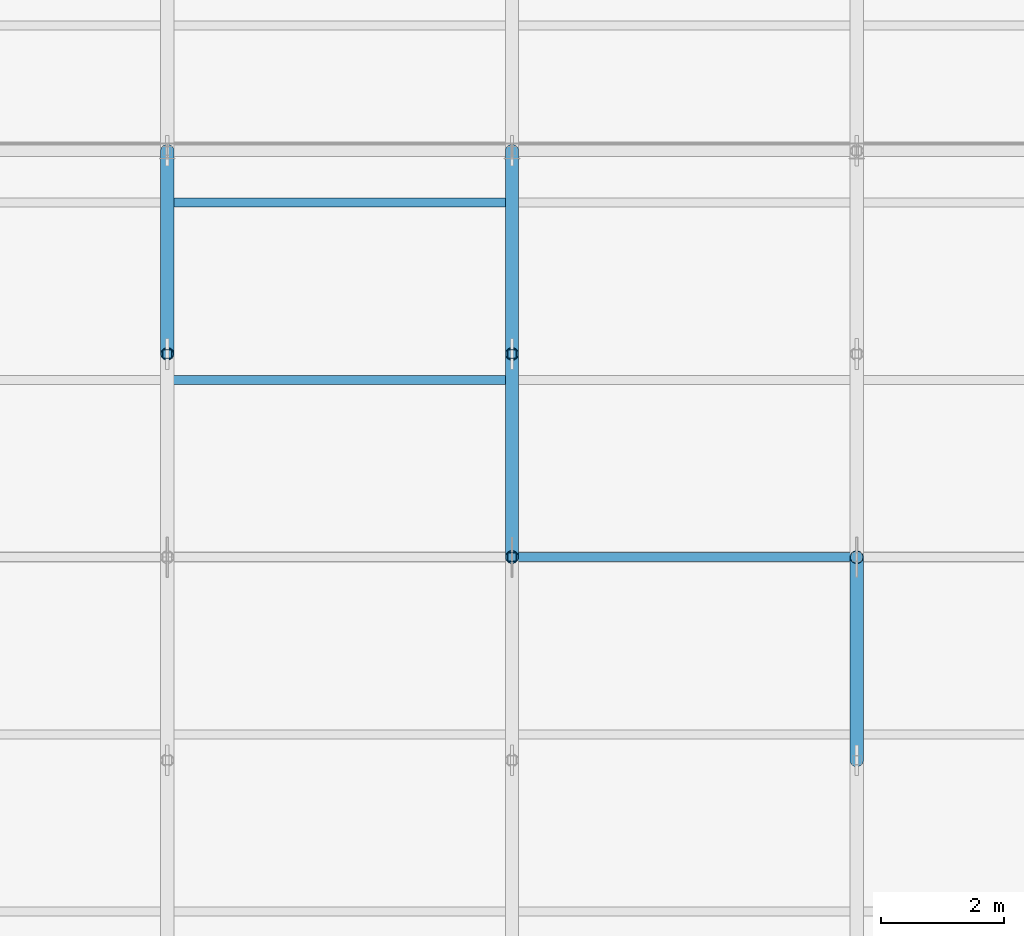
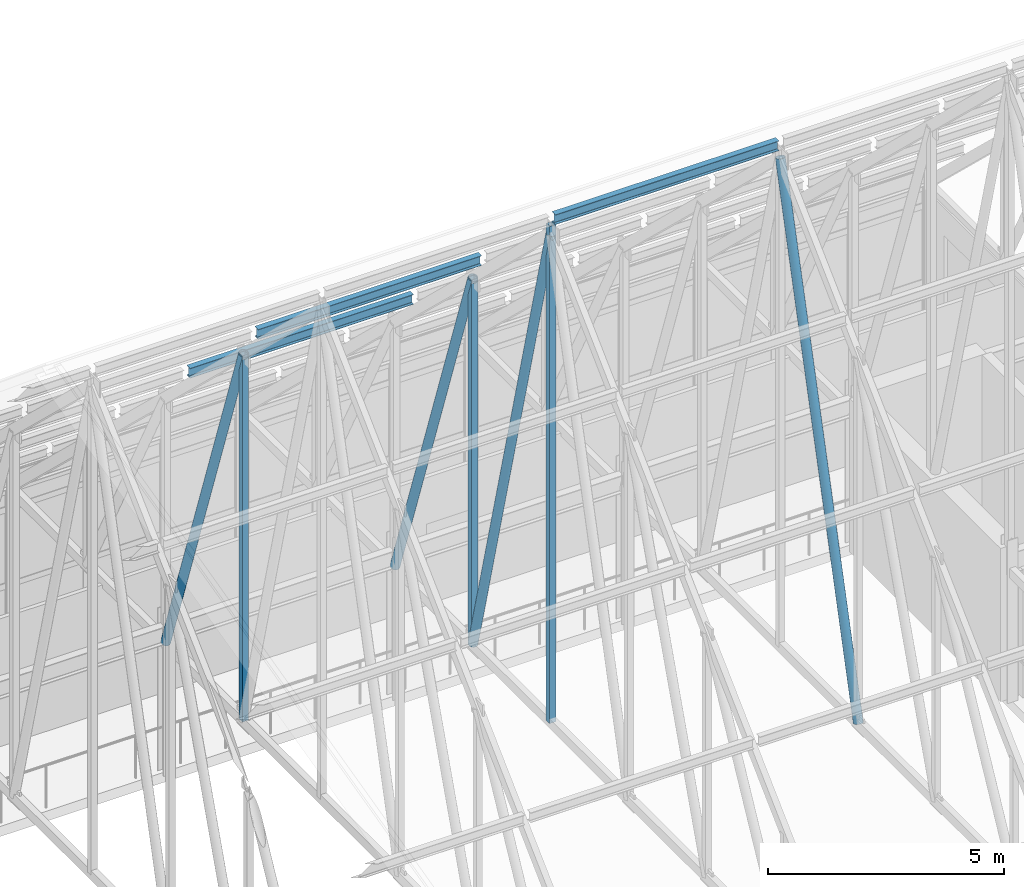
# One storey, part 48 of 144: 10 members.
"""IFC4 building model written with IfcOpenShell, lengths in metres."""

from ifc_helpers import new_model, si_unit, direction, frame, origin, origin_2d, place, context, subcontext, project, spatial, hollow_rectangle, hollow_circle, i_section, extrude, material, material_profile, profile_set, type_object, element, save


model = new_model("IFC4")

# Units and contexts
model_context = context("Model", 3, precision=1e-05, world=origin(), true_north=direction((0.0, 1.0)))
body_context = subcontext(model_context, "Body", "Model", "MODEL_VIEW")
ifc_project = project(units=[si_unit("LENGTHUNIT", "METRE"), si_unit("AREAUNIT", "SQUARE_METRE"), si_unit("VOLUMEUNIT", "CUBIC_METRE"), si_unit("PLANEANGLEUNIT", "RADIAN"), si_unit("MASSUNIT", "GRAM", prefix="KILO")], contexts=[model_context])

# Site, building, storey
site_placement = place(None, origin())
site = spatial("IfcSite", under=ifc_project, at=site_placement, CompositionType="ELEMENT")
building_placement = place(site_placement, origin())
building = spatial("IfcBuilding", under=site, at=building_placement, Name="Trelmorton Wharf Fire Station", CompositionType="ELEMENT")
storey_placement = place(building_placement, frame((0.0, 0.0, 5.39990234375)))
storey = spatial("IfcBuildingStorey", under=building, at=storey_placement, Name="L01", CompositionType="ELEMENT", Elevation=5.39990234375)

# Members
ifc_material_1 = material(Name="Steel Grade 300 (300 MPa)", Category="steel")
ifc_material_profile_1 = material_profile(ifc_material_1, i_section(OverallWidth=0.14599609375, OverallDepth=0.256103515625, WebThickness=0.00634765625, FlangeThickness=0.010986328125, FilletRadius=0.0087890625, at=origin_2d()), Name="250UB37.3")
ifc_profile_set_1 = profile_set([ifc_material_profile_1], Name="Steel Grade 300 (300 MPa)")
member_type_1 = type_object("IfcMemberType", Name="PR_250UB37", PredefinedType="PURLIN", material=ifc_profile_set_1)
for number, where, z_axis, x_axis, name in (
    (1, (34.471923828125, 23.8798828125, 13.5625), (1.0, 0.0, 0.0), (0.0, 1.0, 0.0), "V1-PR-B07-N1"),
    (2, (34.471923828125, 26.760009765625, 10.8134765625), (1.0, 0.0, 0.0), (0.0, 1.0, 0.0), "V1-PR-B07-N2"),
    (3, (40.072021484375, 21.0, 16.311767578125), (1.0, 0.0, 0.0), (0.0, 1.0, 0.0), "V1-PR-B08-S5"),
):
    element("IfcMember", number, at=place(storey_placement, frame(where, z_axis=z_axis, x_axis=x_axis)), inside=storey, type_object=member_type_1, Name=name, PredefinedType="PURLIN", context=body_context, shape_type="SweptSolid", body=[
        extrude(i_section(OverallWidth=0.14599609375, OverallDepth=0.256103515625, WebThickness=0.00634765625, FlangeThickness=0.010986328125, FilletRadius=0.0087890625, at=origin_2d()), origin(), (0.0, 0.0, 1.0), 5.4560546875),
    ])
ifc_material_2 = material(Name="Steel C350L0 (350 MPa)", Category="steel")
ifc_material_profile_2 = material_profile(ifc_material_2, hollow_circle(Radius=0.109619140625, WallThickness=0.00830078125, at=origin_2d()), Name="219.1x8.2CHS")
ifc_profile_set_2 = profile_set([ifc_material_profile_2], Name="Steel C350L0 (350 MPa)")
member_type_2 = type_object("IfcMemberType", Name="TR_DIAG_219CHS", PredefinedType="STRUT", material=ifc_profile_set_2)
for number, where, z_axis, x_axis, name in (
    (4, (34.39990234375, 27.60009765625, 3.351806640625), (0.0, -0.329681107508, 0.944092351072), (1.0, 0.0, 0.0), "V1-TR07-DG-N2"),
    (5, (40.0, 27.60009765625, 3.351806640625), (0.0, -0.329681107508, 0.944092351072), (1.0, 0.0, 0.0), "V1-TR08-DG-N2"),
):
    element("IfcMember", number, at=place(storey_placement, frame(where, z_axis=z_axis, x_axis=x_axis)), inside=storey, type_object=member_type_2, Name=name, PredefinedType="STRUT", context=body_context, shape_type="SweptSolid", body=[
        extrude(hollow_circle(Radius=0.109619140625, WallThickness=0.00830078125, at=origin_2d()), origin(), (0.0, 0.0, 1.0), 10.009765625),
    ])
for number, where, z_axis, x_axis, name in (
    (6, (40.0, 24.300048828125, 3.351806640625), (0.0, -0.25336106238, 0.967371785856), (1.0, 0.0, 0.0), "V1-TR08-DG-N3"),
    (7, (45.60009765625, 17.699951171875, 3.351806640625), (0.0, 0.25336106238, 0.967371785856), (-1.0, 0.0, 0.0), "V1-TR09-DG-S3"),
):
    element("IfcMember", number, at=place(storey_placement, frame(where, z_axis=z_axis, x_axis=x_axis)), inside=storey, type_object=member_type_2, Name=name, PredefinedType="STRUT", context=body_context, shape_type="SweptSolid", body=[
        extrude(hollow_circle(Radius=0.109619140625, WallThickness=0.00830078125, at=origin_2d()), origin(), (0.0, 0.0, 1.0), 13.025146484375),
    ])
ifc_material_profile_3 = material_profile(ifc_material_2, hollow_rectangle(XDim=0.14990234375, YDim=0.14990234375, WallThickness=0.009033203125, at=origin_2d()), Name="150x150x9.0SHS")
ifc_profile_set_3 = profile_set([ifc_material_profile_3], Name="Steel C350L0 (350 MPa)")
member_type_3 = type_object("IfcMemberType", Name="TR_POST_150SHS", PredefinedType="POST", material=ifc_profile_set_3)
member_1_placement = place(storey_placement, frame((34.39990234375, 24.300048828125, 3.351806640625), z_axis=(0.0, 0.0, 1.0), x_axis=(1.0, 0.0, 0.0)))
element("IfcMember", 8, at=member_1_placement, inside=storey, type_object=member_type_3, Name="V1-TR07-VP-N3", PredefinedType="POST", context=body_context, shape_type="SweptSolid", body=[
    extrude(hollow_rectangle(XDim=0.14990234375, YDim=0.14990234375, WallThickness=0.009033203125, at=origin_2d()), origin(), (0.0, 0.0, 1.0), 9.4501953125),
])
member_2_placement = place(storey_placement, frame((40.0, 21.0, 3.351806640625), z_axis=(0.0, 0.0, 1.0), x_axis=(1.0, 0.0, 0.0)))
element("IfcMember", 9, at=member_2_placement, inside=storey, type_object=member_type_3, Name="V1-TR08-KP", PredefinedType="POST", context=body_context, shape_type="SweptSolid", body=[
    extrude(hollow_rectangle(XDim=0.14990234375, YDim=0.14990234375, WallThickness=0.009033203125, at=origin_2d()), origin(), (0.0, 0.0, 1.0), 12.8359375),
])
member_3_placement = place(storey_placement, frame((40.0, 24.300048828125, 3.351806640625), z_axis=(0.0, 0.0, 1.0), x_axis=(1.0, 0.0, 0.0)))
element("IfcMember", 10, at=member_3_placement, inside=storey, type_object=member_type_3, Name="V1-TR08-VP-N3", PredefinedType="POST", context=body_context, shape_type="SweptSolid", body=[
    extrude(hollow_rectangle(XDim=0.14990234375, YDim=0.14990234375, WallThickness=0.009033203125, at=origin_2d()), origin(), (0.0, 0.0, 1.0), 9.4501953125),
])

save(model, "model.ifc")
